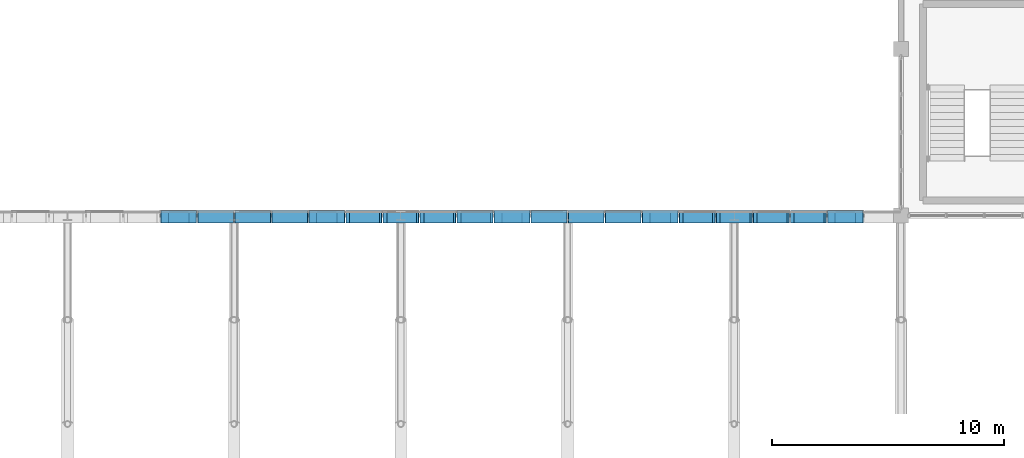
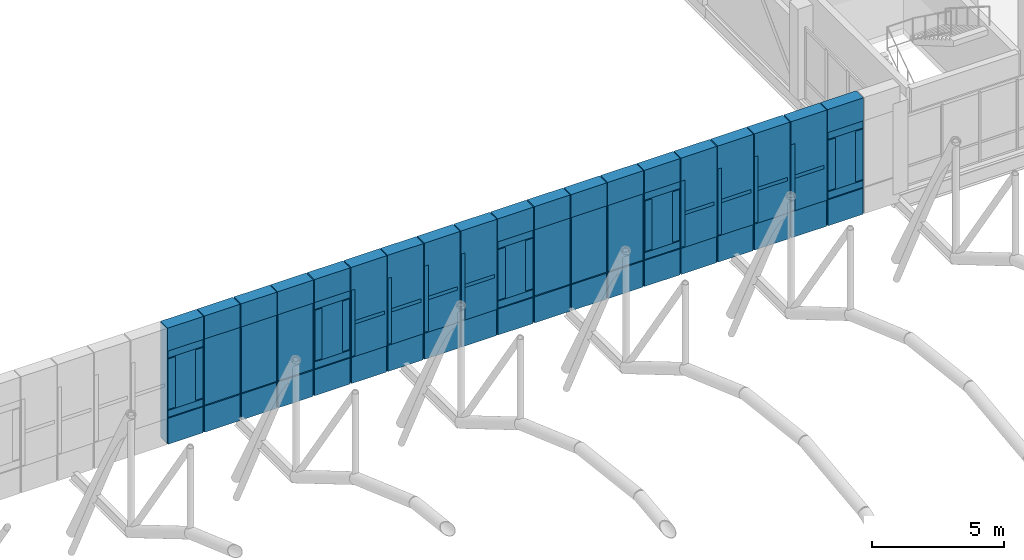
# One storey, part 121 of 144: 80 discrete accessories.
"""IFC4 building model written with IfcOpenShell, lengths in metres."""

from ifc_helpers import new_model, si_unit, direction, frame, origin, origin_2d, place, context, subcontext, project, spatial, rectangle, extrude, material, type_object, element, save


model = new_model("IFC4")

# Units and contexts
model_context = context("Model", 3, precision=1e-05, world=origin(), true_north=direction((0.0, 1.0)))
body_context = subcontext(model_context, "Body", "Model", "MODEL_VIEW")
ifc_project = project(units=[si_unit("LENGTHUNIT", "METRE"), si_unit("AREAUNIT", "SQUARE_METRE"), si_unit("VOLUMEUNIT", "CUBIC_METRE"), si_unit("PLANEANGLEUNIT", "RADIAN"), si_unit("MASSUNIT", "GRAM", prefix="KILO")], contexts=[model_context])

# Site, building, storey
site_placement = place(None, origin())
site = spatial("IfcSite", under=ifc_project, at=site_placement, CompositionType="ELEMENT")
building_placement = place(site_placement, origin())
building = spatial("IfcBuilding", under=site, at=building_placement, Name="Yarey Park Central Fire Station", CompositionType="ELEMENT")
storey_placement = place(building_placement, frame((0.0, 0.0, 10.199951171875)))
storey = spatial("IfcBuildingStorey", under=building, at=storey_placement, Name="L03", CompositionType="ELEMENT", Elevation=10.199951171875)

# Discrete accessories
ifc_material = material(Name="Stainless Steel AISI 316L", Category="steel")
discrete_accessory_type = type_object("IfcDiscreteAccessoryType", Name="ENV_BRK_SS1", PredefinedType="BRACKET", material=ifc_material)
discrete_accessory_1_placement = place(storey_placement, frame((84.0, 93.550048828125, -0.4248046875), z_axis=(0.0, 0.0, 1.0), x_axis=(1.0, 0.0, 0.0)))
element("IfcDiscreteAccessory", 1, at=discrete_accessory_1_placement, inside=storey, type_object=discrete_accessory_type, Name="BRK_PERF_L03_1631", PredefinedType="BRACKET", context=body_context, shape_type="SweptSolid", body=[
    extrude(rectangle(XDim=1.5400390625, YDim=0.5400390625, at=origin_2d()), origin(), (0.0, 0.0, 1.0), 1.199951171875),
])
for number, where, z_axis, x_axis, name in (
    (2, (84.0, 93.550048828125, 0.81982421875), (0.0, 0.0, 1.0), (1.0, 0.0, 0.0), "BRK_PERF_L03_1632"),
    (3, (84.0, 93.550048828125, 3.56005859375), (0.0, 0.0, 1.0), (1.0, 0.0, 0.0), "BRK_PERF_L03_1633"),
):
    element("IfcDiscreteAccessory", number, at=place(storey_placement, frame(where, z_axis=z_axis, x_axis=x_axis)), inside=storey, type_object=discrete_accessory_type, Name=name, PredefinedType="BRACKET", context=body_context, shape_type="SweptSolid", body=[
        extrude(rectangle(XDim=1.5400390625, YDim=0.5400390625, at=origin_2d()), origin(), (0.0, 0.0, 1.0), 0.320068359375),
    ])
for number, where, z_axis, x_axis, name in (
    (4, (83.39990234375, 93.550048828125, 1.18505859375), (0.0, 0.0, 1.0), (1.0, 0.0, 0.0), "BRK_PERF_L03_1634"),
    (5, (84.60009765625, 93.550048828125, 1.18505859375), (0.0, 0.0, 1.0), (1.0, 0.0, 0.0), "BRK_PERF_L03_1635"),
):
    element("IfcDiscreteAccessory", number, at=place(storey_placement, frame(where, z_axis=z_axis, x_axis=x_axis)), inside=storey, type_object=discrete_accessory_type, Name=name, PredefinedType="BRACKET", context=body_context, shape_type="SweptSolid", body=[
        extrude(rectangle(XDim=0.320068359375, YDim=0.5400390625, at=origin_2d()), origin(), (0.0, 0.0, 1.0), 2.330078125),
    ])
discrete_accessory_2_placement = place(storey_placement, frame((84.0, 93.550048828125, -0.389892578125), z_axis=(0.0, 0.0, 1.0), x_axis=(1.0, 0.0, 0.0)))
element("IfcDiscreteAccessory", 6, at=discrete_accessory_2_placement, inside=storey, type_object=discrete_accessory_type, Name="BRK_RAIL_L03_1636", PredefinedType="BRACKET", context=body_context, shape_type="SweptSolid", body=[
    extrude(rectangle(XDim=1.56005859375, YDim=0.5400390625, at=origin_2d()), origin(), (0.0, 0.0, 1.0), 5.330078125),
])
discrete_accessory_3_placement = place(storey_placement, frame((85.60009765625, 93.550048828125, -0.4248046875), z_axis=(0.0, 0.0, 1.0), x_axis=(1.0, 0.0, 0.0)))
element("IfcDiscreteAccessory", 7, at=discrete_accessory_3_placement, inside=storey, type_object=discrete_accessory_type, Name="BRK_PERF_L03_1637", PredefinedType="BRACKET", context=body_context, shape_type="SweptSolid", body=[
    extrude(rectangle(XDim=1.5400390625, YDim=0.5400390625, at=origin_2d()), origin(), (0.0, 0.0, 1.0), 1.199951171875),
])
discrete_accessory_4_placement = place(storey_placement, frame((85.60009765625, 93.550048828125, 0.8251953125), z_axis=(0.0, 0.0, 1.0), x_axis=(1.0, 0.0, 0.0)))
element("IfcDiscreteAccessory", 8, at=discrete_accessory_4_placement, inside=storey, type_object=discrete_accessory_type, Name="BRK_PERF_L03_1638", PredefinedType="BRACKET", context=body_context, shape_type="SweptSolid", body=[
    extrude(rectangle(XDim=1.5400390625, YDim=0.5400390625, at=origin_2d()), origin(), (0.0, 0.0, 1.0), 3.050048828125),
])
discrete_accessory_5_placement = place(storey_placement, frame((85.60009765625, 93.550048828125, -0.389892578125), z_axis=(0.0, 0.0, 1.0), x_axis=(1.0, 0.0, 0.0)))
element("IfcDiscreteAccessory", 9, at=discrete_accessory_5_placement, inside=storey, type_object=discrete_accessory_type, Name="BRK_RAIL_L03_1639", PredefinedType="BRACKET", context=body_context, shape_type="SweptSolid", body=[
    extrude(rectangle(XDim=1.56005859375, YDim=0.5400390625, at=origin_2d()), origin(), (0.0, 0.0, 1.0), 5.330078125),
])
discrete_accessory_6_placement = place(storey_placement, frame((87.199951171875, 93.550048828125, -0.4248046875), z_axis=(0.0, 0.0, 1.0), x_axis=(1.0, 0.0, 0.0)))
element("IfcDiscreteAccessory", 10, at=discrete_accessory_6_placement, inside=storey, type_object=discrete_accessory_type, Name="BRK_PERF_L03_1640", PredefinedType="BRACKET", context=body_context, shape_type="SweptSolid", body=[
    extrude(rectangle(XDim=1.5400390625, YDim=0.5400390625, at=origin_2d()), origin(), (0.0, 0.0, 1.0), 1.199951171875),
])
discrete_accessory_7_placement = place(storey_placement, frame((87.199951171875, 93.550048828125, 0.8251953125), z_axis=(0.0, 0.0, 1.0), x_axis=(1.0, 0.0, 0.0)))
element("IfcDiscreteAccessory", 11, at=discrete_accessory_7_placement, inside=storey, type_object=discrete_accessory_type, Name="BRK_PERF_L03_1641", PredefinedType="BRACKET", context=body_context, shape_type="SweptSolid", body=[
    extrude(rectangle(XDim=1.5400390625, YDim=0.5400390625, at=origin_2d()), origin(), (0.0, 0.0, 1.0), 3.050048828125),
])
discrete_accessory_8_placement = place(storey_placement, frame((87.199951171875, 93.550048828125, -0.389892578125), z_axis=(0.0, 0.0, 1.0), x_axis=(1.0, 0.0, 0.0)))
element("IfcDiscreteAccessory", 12, at=discrete_accessory_8_placement, inside=storey, type_object=discrete_accessory_type, Name="BRK_RAIL_L03_1642", PredefinedType="BRACKET", context=body_context, shape_type="SweptSolid", body=[
    extrude(rectangle(XDim=1.56005859375, YDim=0.5400390625, at=origin_2d()), origin(), (0.0, 0.0, 1.0), 5.330078125),
])
discrete_accessory_9_placement = place(storey_placement, frame((88.800048828125, 93.550048828125, -0.4248046875), z_axis=(0.0, 0.0, 1.0), x_axis=(1.0, 0.0, 0.0)))
element("IfcDiscreteAccessory", 13, at=discrete_accessory_9_placement, inside=storey, type_object=discrete_accessory_type, Name="BRK_PERF_L03_1643", PredefinedType="BRACKET", context=body_context, shape_type="SweptSolid", body=[
    extrude(rectangle(XDim=1.5400390625, YDim=0.5400390625, at=origin_2d()), origin(), (0.0, 0.0, 1.0), 1.199951171875),
])
discrete_accessory_10_placement = place(storey_placement, frame((88.800048828125, 93.550048828125, 0.8251953125), z_axis=(0.0, 0.0, 1.0), x_axis=(1.0, 0.0, 0.0)))
element("IfcDiscreteAccessory", 14, at=discrete_accessory_10_placement, inside=storey, type_object=discrete_accessory_type, Name="BRK_PERF_L03_1644", PredefinedType="BRACKET", context=body_context, shape_type="SweptSolid", body=[
    extrude(rectangle(XDim=1.5400390625, YDim=0.5400390625, at=origin_2d()), origin(), (0.0, 0.0, 1.0), 3.050048828125),
])
discrete_accessory_11_placement = place(storey_placement, frame((88.800048828125, 93.550048828125, -0.389892578125), z_axis=(0.0, 0.0, 1.0), x_axis=(1.0, 0.0, 0.0)))
element("IfcDiscreteAccessory", 15, at=discrete_accessory_11_placement, inside=storey, type_object=discrete_accessory_type, Name="BRK_RAIL_L03_1645", PredefinedType="BRACKET", context=body_context, shape_type="SweptSolid", body=[
    extrude(rectangle(XDim=1.56005859375, YDim=0.5400390625, at=origin_2d()), origin(), (0.0, 0.0, 1.0), 5.330078125),
])
discrete_accessory_12_placement = place(storey_placement, frame((90.39990234375, 93.550048828125, -0.4248046875), z_axis=(0.0, 0.0, 1.0), x_axis=(1.0, 0.0, 0.0)))
element("IfcDiscreteAccessory", 16, at=discrete_accessory_12_placement, inside=storey, type_object=discrete_accessory_type, Name="BRK_PERF_L03_1646", PredefinedType="BRACKET", context=body_context, shape_type="SweptSolid", body=[
    extrude(rectangle(XDim=1.5400390625, YDim=0.5400390625, at=origin_2d()), origin(), (0.0, 0.0, 1.0), 1.199951171875),
])
for number, where, z_axis, x_axis, name in (
    (17, (90.39990234375, 93.550048828125, 0.81982421875), (0.0, 0.0, 1.0), (1.0, 0.0, 0.0), "BRK_PERF_L03_1647"),
    (18, (90.39990234375, 93.550048828125, 3.56005859375), (0.0, 0.0, 1.0), (1.0, 0.0, 0.0), "BRK_PERF_L03_1648"),
):
    element("IfcDiscreteAccessory", number, at=place(storey_placement, frame(where, z_axis=z_axis, x_axis=x_axis)), inside=storey, type_object=discrete_accessory_type, Name=name, PredefinedType="BRACKET", context=body_context, shape_type="SweptSolid", body=[
        extrude(rectangle(XDim=1.5400390625, YDim=0.5400390625, at=origin_2d()), origin(), (0.0, 0.0, 1.0), 0.320068359375),
    ])
for number, where, z_axis, x_axis, name in (
    (19, (89.800048828125, 93.550048828125, 1.18505859375), (0.0, 0.0, 1.0), (1.0, 0.0, 0.0), "BRK_PERF_L03_1649"),
    (20, (91.0, 93.550048828125, 1.18505859375), (0.0, 0.0, 1.0), (1.0, 0.0, 0.0), "BRK_PERF_L03_1650"),
):
    element("IfcDiscreteAccessory", number, at=place(storey_placement, frame(where, z_axis=z_axis, x_axis=x_axis)), inside=storey, type_object=discrete_accessory_type, Name=name, PredefinedType="BRACKET", context=body_context, shape_type="SweptSolid", body=[
        extrude(rectangle(XDim=0.320068359375, YDim=0.5400390625, at=origin_2d()), origin(), (0.0, 0.0, 1.0), 2.330078125),
    ])
discrete_accessory_13_placement = place(storey_placement, frame((90.39990234375, 93.550048828125, -0.389892578125), z_axis=(0.0, 0.0, 1.0), x_axis=(1.0, 0.0, 0.0)))
element("IfcDiscreteAccessory", 21, at=discrete_accessory_13_placement, inside=storey, type_object=discrete_accessory_type, Name="BRK_RAIL_L03_1651", PredefinedType="BRACKET", context=body_context, shape_type="SweptSolid", body=[
    extrude(rectangle(XDim=1.56005859375, YDim=0.5400390625, at=origin_2d()), origin(), (0.0, 0.0, 1.0), 5.330078125),
])
discrete_accessory_14_placement = place(storey_placement, frame((92.0, 93.550048828125, -0.4248046875), z_axis=(0.0, 0.0, 1.0), x_axis=(1.0, 0.0, 0.0)))
element("IfcDiscreteAccessory", 22, at=discrete_accessory_14_placement, inside=storey, type_object=discrete_accessory_type, Name="BRK_PERF_L03_1652", PredefinedType="BRACKET", context=body_context, shape_type="SweptSolid", body=[
    extrude(rectangle(XDim=1.5400390625, YDim=0.5400390625, at=origin_2d()), origin(), (0.0, 0.0, 1.0), 1.199951171875),
])
discrete_accessory_15_placement = place(storey_placement, frame((91.31005859375, 93.550048828125, 0.8251953125), z_axis=(0.0, 0.0, 1.0), x_axis=(1.0, 0.0, 0.0)))
element("IfcDiscreteAccessory", 23, at=discrete_accessory_15_placement, inside=storey, type_object=discrete_accessory_type, Name="BRK_PERF_L03_1653", PredefinedType="BRACKET", context=body_context, shape_type="SweptSolid", body=[
    extrude(rectangle(XDim=0.159912109375, YDim=0.5400390625, at=origin_2d()), origin(), (0.0, 0.0, 1.0), 3.050048828125),
])
discrete_accessory_16_placement = place(storey_placement, frame((92.0, 93.550048828125, 2.27001953125), z_axis=(0.0, 0.0, 1.0), x_axis=(1.0, 0.0, 0.0)))
element("IfcDiscreteAccessory", 24, at=discrete_accessory_16_placement, inside=storey, type_object=discrete_accessory_type, Name="BRK_PERF_L03_1654", PredefinedType="BRACKET", context=body_context, shape_type="SweptSolid", body=[
    extrude(rectangle(XDim=1.340087890625, YDim=0.5400390625, at=origin_2d()), origin(), (0.0, 0.0, 1.0), 0.159912109375),
])
discrete_accessory_17_placement = place(storey_placement, frame((92.0, 93.550048828125, -0.389892578125), z_axis=(0.0, 0.0, 1.0), x_axis=(1.0, 0.0, 0.0)))
element("IfcDiscreteAccessory", 25, at=discrete_accessory_17_placement, inside=storey, type_object=discrete_accessory_type, Name="BRK_RAIL_L03_1655", PredefinedType="BRACKET", context=body_context, shape_type="SweptSolid", body=[
    extrude(rectangle(XDim=1.56005859375, YDim=0.5400390625, at=origin_2d()), origin(), (0.0, 0.0, 1.0), 5.330078125),
])
discrete_accessory_18_placement = place(storey_placement, frame((93.60009765625, 93.550048828125, -0.4248046875), z_axis=(0.0, 0.0, 1.0), x_axis=(1.0, 0.0, 0.0)))
element("IfcDiscreteAccessory", 26, at=discrete_accessory_18_placement, inside=storey, type_object=discrete_accessory_type, Name="BRK_PERF_L03_1656", PredefinedType="BRACKET", context=body_context, shape_type="SweptSolid", body=[
    extrude(rectangle(XDim=1.5400390625, YDim=0.5400390625, at=origin_2d()), origin(), (0.0, 0.0, 1.0), 1.199951171875),
])
discrete_accessory_19_placement = place(storey_placement, frame((92.909912109375, 93.550048828125, 0.8251953125), z_axis=(0.0, 0.0, 1.0), x_axis=(1.0, 0.0, 0.0)))
element("IfcDiscreteAccessory", 27, at=discrete_accessory_19_placement, inside=storey, type_object=discrete_accessory_type, Name="BRK_PERF_L03_1657", PredefinedType="BRACKET", context=body_context, shape_type="SweptSolid", body=[
    extrude(rectangle(XDim=0.159912109375, YDim=0.5400390625, at=origin_2d()), origin(), (0.0, 0.0, 1.0), 3.050048828125),
])
discrete_accessory_20_placement = place(storey_placement, frame((93.60009765625, 93.550048828125, 2.27001953125), z_axis=(0.0, 0.0, 1.0), x_axis=(1.0, 0.0, 0.0)))
element("IfcDiscreteAccessory", 28, at=discrete_accessory_20_placement, inside=storey, type_object=discrete_accessory_type, Name="BRK_PERF_L03_1658", PredefinedType="BRACKET", context=body_context, shape_type="SweptSolid", body=[
    extrude(rectangle(XDim=1.340087890625, YDim=0.5400390625, at=origin_2d()), origin(), (0.0, 0.0, 1.0), 0.159912109375),
])
discrete_accessory_21_placement = place(storey_placement, frame((93.60009765625, 93.550048828125, -0.389892578125), z_axis=(0.0, 0.0, 1.0), x_axis=(1.0, 0.0, 0.0)))
element("IfcDiscreteAccessory", 29, at=discrete_accessory_21_placement, inside=storey, type_object=discrete_accessory_type, Name="BRK_RAIL_L03_1659", PredefinedType="BRACKET", context=body_context, shape_type="SweptSolid", body=[
    extrude(rectangle(XDim=1.56005859375, YDim=0.5400390625, at=origin_2d()), origin(), (0.0, 0.0, 1.0), 5.330078125),
])
discrete_accessory_22_placement = place(storey_placement, frame((95.199951171875, 93.550048828125, -0.4248046875), z_axis=(0.0, 0.0, 1.0), x_axis=(1.0, 0.0, 0.0)))
element("IfcDiscreteAccessory", 30, at=discrete_accessory_22_placement, inside=storey, type_object=discrete_accessory_type, Name="BRK_PERF_L03_1660", PredefinedType="BRACKET", context=body_context, shape_type="SweptSolid", body=[
    extrude(rectangle(XDim=1.5400390625, YDim=0.5400390625, at=origin_2d()), origin(), (0.0, 0.0, 1.0), 1.199951171875),
])
discrete_accessory_23_placement = place(storey_placement, frame((94.510009765625, 93.550048828125, 0.8251953125), z_axis=(0.0, 0.0, 1.0), x_axis=(1.0, 0.0, 0.0)))
element("IfcDiscreteAccessory", 31, at=discrete_accessory_23_placement, inside=storey, type_object=discrete_accessory_type, Name="BRK_PERF_L03_1661", PredefinedType="BRACKET", context=body_context, shape_type="SweptSolid", body=[
    extrude(rectangle(XDim=0.159912109375, YDim=0.5400390625, at=origin_2d()), origin(), (0.0, 0.0, 1.0), 3.050048828125),
])
discrete_accessory_24_placement = place(storey_placement, frame((95.199951171875, 93.550048828125, 2.27001953125), z_axis=(0.0, 0.0, 1.0), x_axis=(1.0, 0.0, 0.0)))
element("IfcDiscreteAccessory", 32, at=discrete_accessory_24_placement, inside=storey, type_object=discrete_accessory_type, Name="BRK_PERF_L03_1662", PredefinedType="BRACKET", context=body_context, shape_type="SweptSolid", body=[
    extrude(rectangle(XDim=1.340087890625, YDim=0.5400390625, at=origin_2d()), origin(), (0.0, 0.0, 1.0), 0.159912109375),
])
discrete_accessory_25_placement = place(storey_placement, frame((95.199951171875, 93.550048828125, -0.389892578125), z_axis=(0.0, 0.0, 1.0), x_axis=(1.0, 0.0, 0.0)))
element("IfcDiscreteAccessory", 33, at=discrete_accessory_25_placement, inside=storey, type_object=discrete_accessory_type, Name="BRK_RAIL_L03_1663", PredefinedType="BRACKET", context=body_context, shape_type="SweptSolid", body=[
    extrude(rectangle(XDim=1.56005859375, YDim=0.5400390625, at=origin_2d()), origin(), (0.0, 0.0, 1.0), 5.330078125),
])
discrete_accessory_26_placement = place(storey_placement, frame((96.800048828125, 93.550048828125, -0.4248046875), z_axis=(0.0, 0.0, 1.0), x_axis=(1.0, 0.0, 0.0)))
element("IfcDiscreteAccessory", 34, at=discrete_accessory_26_placement, inside=storey, type_object=discrete_accessory_type, Name="BRK_PERF_L03_1664", PredefinedType="BRACKET", context=body_context, shape_type="SweptSolid", body=[
    extrude(rectangle(XDim=1.5400390625, YDim=0.5400390625, at=origin_2d()), origin(), (0.0, 0.0, 1.0), 1.199951171875),
])
discrete_accessory_27_placement = place(storey_placement, frame((96.110107421875, 93.550048828125, 0.8251953125), z_axis=(0.0, 0.0, 1.0), x_axis=(1.0, 0.0, 0.0)))
element("IfcDiscreteAccessory", 35, at=discrete_accessory_27_placement, inside=storey, type_object=discrete_accessory_type, Name="BRK_PERF_L03_1665", PredefinedType="BRACKET", context=body_context, shape_type="SweptSolid", body=[
    extrude(rectangle(XDim=0.159912109375, YDim=0.5400390625, at=origin_2d()), origin(), (0.0, 0.0, 1.0), 3.050048828125),
])
discrete_accessory_28_placement = place(storey_placement, frame((96.800048828125, 93.550048828125, 2.27001953125), z_axis=(0.0, 0.0, 1.0), x_axis=(1.0, 0.0, 0.0)))
element("IfcDiscreteAccessory", 36, at=discrete_accessory_28_placement, inside=storey, type_object=discrete_accessory_type, Name="BRK_PERF_L03_1666", PredefinedType="BRACKET", context=body_context, shape_type="SweptSolid", body=[
    extrude(rectangle(XDim=1.340087890625, YDim=0.5400390625, at=origin_2d()), origin(), (0.0, 0.0, 1.0), 0.159912109375),
])
discrete_accessory_29_placement = place(storey_placement, frame((96.800048828125, 93.550048828125, -0.389892578125), z_axis=(0.0, 0.0, 1.0), x_axis=(1.0, 0.0, 0.0)))
element("IfcDiscreteAccessory", 37, at=discrete_accessory_29_placement, inside=storey, type_object=discrete_accessory_type, Name="BRK_RAIL_L03_1667", PredefinedType="BRACKET", context=body_context, shape_type="SweptSolid", body=[
    extrude(rectangle(XDim=1.56005859375, YDim=0.5400390625, at=origin_2d()), origin(), (0.0, 0.0, 1.0), 5.330078125),
])
discrete_accessory_30_placement = place(storey_placement, frame((98.39990234375, 93.550048828125, -0.4248046875), z_axis=(0.0, 0.0, 1.0), x_axis=(1.0, 0.0, 0.0)))
element("IfcDiscreteAccessory", 38, at=discrete_accessory_30_placement, inside=storey, type_object=discrete_accessory_type, Name="BRK_PERF_L03_1668", PredefinedType="BRACKET", context=body_context, shape_type="SweptSolid", body=[
    extrude(rectangle(XDim=1.5400390625, YDim=0.5400390625, at=origin_2d()), origin(), (0.0, 0.0, 1.0), 1.199951171875),
])
for number, where, z_axis, x_axis, name in (
    (39, (98.39990234375, 93.550048828125, 0.81982421875), (0.0, 0.0, 1.0), (1.0, 0.0, 0.0), "BRK_PERF_L03_1669"),
    (40, (98.39990234375, 93.550048828125, 3.56005859375), (0.0, 0.0, 1.0), (1.0, 0.0, 0.0), "BRK_PERF_L03_1670"),
):
    element("IfcDiscreteAccessory", number, at=place(storey_placement, frame(where, z_axis=z_axis, x_axis=x_axis)), inside=storey, type_object=discrete_accessory_type, Name=name, PredefinedType="BRACKET", context=body_context, shape_type="SweptSolid", body=[
        extrude(rectangle(XDim=1.5400390625, YDim=0.5400390625, at=origin_2d()), origin(), (0.0, 0.0, 1.0), 0.320068359375),
    ])
for number, where, z_axis, x_axis, name in (
    (41, (97.800048828125, 93.550048828125, 1.18505859375), (0.0, 0.0, 1.0), (1.0, 0.0, 0.0), "BRK_PERF_L03_1671"),
    (42, (99.0, 93.550048828125, 1.18505859375), (0.0, 0.0, 1.0), (1.0, 0.0, 0.0), "BRK_PERF_L03_1672"),
):
    element("IfcDiscreteAccessory", number, at=place(storey_placement, frame(where, z_axis=z_axis, x_axis=x_axis)), inside=storey, type_object=discrete_accessory_type, Name=name, PredefinedType="BRACKET", context=body_context, shape_type="SweptSolid", body=[
        extrude(rectangle(XDim=0.320068359375, YDim=0.5400390625, at=origin_2d()), origin(), (0.0, 0.0, 1.0), 2.330078125),
    ])
discrete_accessory_31_placement = place(storey_placement, frame((98.39990234375, 93.550048828125, -0.389892578125), z_axis=(0.0, 0.0, 1.0), x_axis=(1.0, 0.0, 0.0)))
element("IfcDiscreteAccessory", 43, at=discrete_accessory_31_placement, inside=storey, type_object=discrete_accessory_type, Name="BRK_RAIL_L03_1673", PredefinedType="BRACKET", context=body_context, shape_type="SweptSolid", body=[
    extrude(rectangle(XDim=1.56005859375, YDim=0.5400390625, at=origin_2d()), origin(), (0.0, 0.0, 1.0), 5.330078125),
])
discrete_accessory_32_placement = place(storey_placement, frame((100.0, 93.550048828125, -0.4248046875), z_axis=(0.0, 0.0, 1.0), x_axis=(1.0, 0.0, 0.0)))
element("IfcDiscreteAccessory", 44, at=discrete_accessory_32_placement, inside=storey, type_object=discrete_accessory_type, Name="BRK_PERF_L03_1674", PredefinedType="BRACKET", context=body_context, shape_type="SweptSolid", body=[
    extrude(rectangle(XDim=1.5400390625, YDim=0.5400390625, at=origin_2d()), origin(), (0.0, 0.0, 1.0), 1.199951171875),
])
discrete_accessory_33_placement = place(storey_placement, frame((100.0, 93.550048828125, 0.8251953125), z_axis=(0.0, 0.0, 1.0), x_axis=(1.0, 0.0, 0.0)))
element("IfcDiscreteAccessory", 45, at=discrete_accessory_33_placement, inside=storey, type_object=discrete_accessory_type, Name="BRK_PERF_L03_1675", PredefinedType="BRACKET", context=body_context, shape_type="SweptSolid", body=[
    extrude(rectangle(XDim=1.5400390625, YDim=0.5400390625, at=origin_2d()), origin(), (0.0, 0.0, 1.0), 3.050048828125),
])
discrete_accessory_34_placement = place(storey_placement, frame((100.0, 93.550048828125, -0.389892578125), z_axis=(0.0, 0.0, 1.0), x_axis=(1.0, 0.0, 0.0)))
element("IfcDiscreteAccessory", 46, at=discrete_accessory_34_placement, inside=storey, type_object=discrete_accessory_type, Name="BRK_RAIL_L03_1676", PredefinedType="BRACKET", context=body_context, shape_type="SweptSolid", body=[
    extrude(rectangle(XDim=1.56005859375, YDim=0.5400390625, at=origin_2d()), origin(), (0.0, 0.0, 1.0), 5.330078125),
])
discrete_accessory_35_placement = place(storey_placement, frame((101.60009765625, 93.550048828125, -0.4248046875), z_axis=(0.0, 0.0, 1.0), x_axis=(1.0, 0.0, 0.0)))
element("IfcDiscreteAccessory", 47, at=discrete_accessory_35_placement, inside=storey, type_object=discrete_accessory_type, Name="BRK_PERF_L03_1677", PredefinedType="BRACKET", context=body_context, shape_type="SweptSolid", body=[
    extrude(rectangle(XDim=1.5400390625, YDim=0.5400390625, at=origin_2d()), origin(), (0.0, 0.0, 1.0), 1.199951171875),
])
discrete_accessory_36_placement = place(storey_placement, frame((101.60009765625, 93.550048828125, 0.8251953125), z_axis=(0.0, 0.0, 1.0), x_axis=(1.0, 0.0, 0.0)))
element("IfcDiscreteAccessory", 48, at=discrete_accessory_36_placement, inside=storey, type_object=discrete_accessory_type, Name="BRK_PERF_L03_1678", PredefinedType="BRACKET", context=body_context, shape_type="SweptSolid", body=[
    extrude(rectangle(XDim=1.5400390625, YDim=0.5400390625, at=origin_2d()), origin(), (0.0, 0.0, 1.0), 3.050048828125),
])
discrete_accessory_37_placement = place(storey_placement, frame((101.60009765625, 93.550048828125, -0.389892578125), z_axis=(0.0, 0.0, 1.0), x_axis=(1.0, 0.0, 0.0)))
element("IfcDiscreteAccessory", 49, at=discrete_accessory_37_placement, inside=storey, type_object=discrete_accessory_type, Name="BRK_RAIL_L03_1679", PredefinedType="BRACKET", context=body_context, shape_type="SweptSolid", body=[
    extrude(rectangle(XDim=1.56005859375, YDim=0.5400390625, at=origin_2d()), origin(), (0.0, 0.0, 1.0), 5.330078125),
])
discrete_accessory_38_placement = place(storey_placement, frame((103.199951171875, 93.550048828125, -0.4248046875), z_axis=(0.0, 0.0, 1.0), x_axis=(1.0, 0.0, 0.0)))
element("IfcDiscreteAccessory", 50, at=discrete_accessory_38_placement, inside=storey, type_object=discrete_accessory_type, Name="BRK_PERF_L03_1680", PredefinedType="BRACKET", context=body_context, shape_type="SweptSolid", body=[
    extrude(rectangle(XDim=1.5400390625, YDim=0.5400390625, at=origin_2d()), origin(), (0.0, 0.0, 1.0), 1.199951171875),
])
discrete_accessory_39_placement = place(storey_placement, frame((103.199951171875, 93.550048828125, 0.8251953125), z_axis=(0.0, 0.0, 1.0), x_axis=(1.0, 0.0, 0.0)))
element("IfcDiscreteAccessory", 51, at=discrete_accessory_39_placement, inside=storey, type_object=discrete_accessory_type, Name="BRK_PERF_L03_1681", PredefinedType="BRACKET", context=body_context, shape_type="SweptSolid", body=[
    extrude(rectangle(XDim=1.5400390625, YDim=0.5400390625, at=origin_2d()), origin(), (0.0, 0.0, 1.0), 3.050048828125),
])
discrete_accessory_40_placement = place(storey_placement, frame((103.199951171875, 93.550048828125, -0.389892578125), z_axis=(0.0, 0.0, 1.0), x_axis=(1.0, 0.0, 0.0)))
element("IfcDiscreteAccessory", 52, at=discrete_accessory_40_placement, inside=storey, type_object=discrete_accessory_type, Name="BRK_RAIL_L03_1682", PredefinedType="BRACKET", context=body_context, shape_type="SweptSolid", body=[
    extrude(rectangle(XDim=1.56005859375, YDim=0.5400390625, at=origin_2d()), origin(), (0.0, 0.0, 1.0), 5.330078125),
])
discrete_accessory_41_placement = place(storey_placement, frame((104.800048828125, 93.550048828125, -0.4248046875), z_axis=(0.0, 0.0, 1.0), x_axis=(1.0, 0.0, 0.0)))
element("IfcDiscreteAccessory", 53, at=discrete_accessory_41_placement, inside=storey, type_object=discrete_accessory_type, Name="BRK_PERF_L03_1683", PredefinedType="BRACKET", context=body_context, shape_type="SweptSolid", body=[
    extrude(rectangle(XDim=1.5400390625, YDim=0.5400390625, at=origin_2d()), origin(), (0.0, 0.0, 1.0), 1.199951171875),
])
for number, where, z_axis, x_axis, name in (
    (54, (104.800048828125, 93.550048828125, 0.81982421875), (0.0, 0.0, 1.0), (1.0, 0.0, 0.0), "BRK_PERF_L03_1684"),
    (55, (104.800048828125, 93.550048828125, 3.56005859375), (0.0, 0.0, 1.0), (1.0, 0.0, 0.0), "BRK_PERF_L03_1685"),
):
    element("IfcDiscreteAccessory", number, at=place(storey_placement, frame(where, z_axis=z_axis, x_axis=x_axis)), inside=storey, type_object=discrete_accessory_type, Name=name, PredefinedType="BRACKET", context=body_context, shape_type="SweptSolid", body=[
        extrude(rectangle(XDim=1.5400390625, YDim=0.5400390625, at=origin_2d()), origin(), (0.0, 0.0, 1.0), 0.320068359375),
    ])
for number, where, z_axis, x_axis, name in (
    (56, (104.199951171875, 93.550048828125, 1.18505859375), (0.0, 0.0, 1.0), (1.0, 0.0, 0.0), "BRK_PERF_L03_1686"),
    (57, (105.39990234375, 93.550048828125, 1.18505859375), (0.0, 0.0, 1.0), (1.0, 0.0, 0.0), "BRK_PERF_L03_1687"),
):
    element("IfcDiscreteAccessory", number, at=place(storey_placement, frame(where, z_axis=z_axis, x_axis=x_axis)), inside=storey, type_object=discrete_accessory_type, Name=name, PredefinedType="BRACKET", context=body_context, shape_type="SweptSolid", body=[
        extrude(rectangle(XDim=0.320068359375, YDim=0.5400390625, at=origin_2d()), origin(), (0.0, 0.0, 1.0), 2.330078125),
    ])
discrete_accessory_42_placement = place(storey_placement, frame((104.800048828125, 93.550048828125, -0.389892578125), z_axis=(0.0, 0.0, 1.0), x_axis=(1.0, 0.0, 0.0)))
element("IfcDiscreteAccessory", 58, at=discrete_accessory_42_placement, inside=storey, type_object=discrete_accessory_type, Name="BRK_RAIL_L03_1688", PredefinedType="BRACKET", context=body_context, shape_type="SweptSolid", body=[
    extrude(rectangle(XDim=1.56005859375, YDim=0.5400390625, at=origin_2d()), origin(), (0.0, 0.0, 1.0), 5.330078125),
])
discrete_accessory_43_placement = place(storey_placement, frame((106.39990234375, 93.550048828125, -0.4248046875), z_axis=(0.0, 0.0, 1.0), x_axis=(1.0, 0.0, 0.0)))
element("IfcDiscreteAccessory", 59, at=discrete_accessory_43_placement, inside=storey, type_object=discrete_accessory_type, Name="BRK_PERF_L03_1689", PredefinedType="BRACKET", context=body_context, shape_type="SweptSolid", body=[
    extrude(rectangle(XDim=1.5400390625, YDim=0.5400390625, at=origin_2d()), origin(), (0.0, 0.0, 1.0), 1.199951171875),
])
discrete_accessory_44_placement = place(storey_placement, frame((105.7099609375, 93.550048828125, 0.8251953125), z_axis=(0.0, 0.0, 1.0), x_axis=(1.0, 0.0, 0.0)))
element("IfcDiscreteAccessory", 60, at=discrete_accessory_44_placement, inside=storey, type_object=discrete_accessory_type, Name="BRK_PERF_L03_1690", PredefinedType="BRACKET", context=body_context, shape_type="SweptSolid", body=[
    extrude(rectangle(XDim=0.159912109375, YDim=0.5400390625, at=origin_2d()), origin(), (0.0, 0.0, 1.0), 3.050048828125),
])
discrete_accessory_45_placement = place(storey_placement, frame((106.39990234375, 93.550048828125, 2.27001953125), z_axis=(0.0, 0.0, 1.0), x_axis=(1.0, 0.0, 0.0)))
element("IfcDiscreteAccessory", 61, at=discrete_accessory_45_placement, inside=storey, type_object=discrete_accessory_type, Name="BRK_PERF_L03_1691", PredefinedType="BRACKET", context=body_context, shape_type="SweptSolid", body=[
    extrude(rectangle(XDim=1.340087890625, YDim=0.5400390625, at=origin_2d()), origin(), (0.0, 0.0, 1.0), 0.159912109375),
])
discrete_accessory_46_placement = place(storey_placement, frame((106.39990234375, 93.550048828125, -0.389892578125), z_axis=(0.0, 0.0, 1.0), x_axis=(1.0, 0.0, 0.0)))
element("IfcDiscreteAccessory", 62, at=discrete_accessory_46_placement, inside=storey, type_object=discrete_accessory_type, Name="BRK_RAIL_L03_1692", PredefinedType="BRACKET", context=body_context, shape_type="SweptSolid", body=[
    extrude(rectangle(XDim=1.56005859375, YDim=0.5400390625, at=origin_2d()), origin(), (0.0, 0.0, 1.0), 5.330078125),
])
discrete_accessory_47_placement = place(storey_placement, frame((108.0, 93.550048828125, -0.4248046875), z_axis=(0.0, 0.0, 1.0), x_axis=(1.0, 0.0, 0.0)))
element("IfcDiscreteAccessory", 63, at=discrete_accessory_47_placement, inside=storey, type_object=discrete_accessory_type, Name="BRK_PERF_L03_1693", PredefinedType="BRACKET", context=body_context, shape_type="SweptSolid", body=[
    extrude(rectangle(XDim=1.5400390625, YDim=0.5400390625, at=origin_2d()), origin(), (0.0, 0.0, 1.0), 1.199951171875),
])
discrete_accessory_48_placement = place(storey_placement, frame((107.31005859375, 93.550048828125, 0.8251953125), z_axis=(0.0, 0.0, 1.0), x_axis=(1.0, 0.0, 0.0)))
element("IfcDiscreteAccessory", 64, at=discrete_accessory_48_placement, inside=storey, type_object=discrete_accessory_type, Name="BRK_PERF_L03_1694", PredefinedType="BRACKET", context=body_context, shape_type="SweptSolid", body=[
    extrude(rectangle(XDim=0.159912109375, YDim=0.5400390625, at=origin_2d()), origin(), (0.0, 0.0, 1.0), 3.050048828125),
])
discrete_accessory_49_placement = place(storey_placement, frame((108.0, 93.550048828125, 2.27001953125), z_axis=(0.0, 0.0, 1.0), x_axis=(1.0, 0.0, 0.0)))
element("IfcDiscreteAccessory", 65, at=discrete_accessory_49_placement, inside=storey, type_object=discrete_accessory_type, Name="BRK_PERF_L03_1695", PredefinedType="BRACKET", context=body_context, shape_type="SweptSolid", body=[
    extrude(rectangle(XDim=1.340087890625, YDim=0.5400390625, at=origin_2d()), origin(), (0.0, 0.0, 1.0), 0.159912109375),
])
discrete_accessory_50_placement = place(storey_placement, frame((108.0, 93.550048828125, -0.389892578125), z_axis=(0.0, 0.0, 1.0), x_axis=(1.0, 0.0, 0.0)))
element("IfcDiscreteAccessory", 66, at=discrete_accessory_50_placement, inside=storey, type_object=discrete_accessory_type, Name="BRK_RAIL_L03_1696", PredefinedType="BRACKET", context=body_context, shape_type="SweptSolid", body=[
    extrude(rectangle(XDim=1.56005859375, YDim=0.5400390625, at=origin_2d()), origin(), (0.0, 0.0, 1.0), 5.330078125),
])
discrete_accessory_51_placement = place(storey_placement, frame((109.60009765625, 93.550048828125, -0.4248046875), z_axis=(0.0, 0.0, 1.0), x_axis=(1.0, 0.0, 0.0)))
element("IfcDiscreteAccessory", 67, at=discrete_accessory_51_placement, inside=storey, type_object=discrete_accessory_type, Name="BRK_PERF_L03_1697", PredefinedType="BRACKET", context=body_context, shape_type="SweptSolid", body=[
    extrude(rectangle(XDim=1.5400390625, YDim=0.5400390625, at=origin_2d()), origin(), (0.0, 0.0, 1.0), 1.199951171875),
])
discrete_accessory_52_placement = place(storey_placement, frame((108.909912109375, 93.550048828125, 0.8251953125), z_axis=(0.0, 0.0, 1.0), x_axis=(1.0, 0.0, 0.0)))
element("IfcDiscreteAccessory", 68, at=discrete_accessory_52_placement, inside=storey, type_object=discrete_accessory_type, Name="BRK_PERF_L03_1698", PredefinedType="BRACKET", context=body_context, shape_type="SweptSolid", body=[
    extrude(rectangle(XDim=0.159912109375, YDim=0.5400390625, at=origin_2d()), origin(), (0.0, 0.0, 1.0), 3.050048828125),
])
discrete_accessory_53_placement = place(storey_placement, frame((109.60009765625, 93.550048828125, 2.27001953125), z_axis=(0.0, 0.0, 1.0), x_axis=(1.0, 0.0, 0.0)))
element("IfcDiscreteAccessory", 69, at=discrete_accessory_53_placement, inside=storey, type_object=discrete_accessory_type, Name="BRK_PERF_L03_1699", PredefinedType="BRACKET", context=body_context, shape_type="SweptSolid", body=[
    extrude(rectangle(XDim=1.340087890625, YDim=0.5400390625, at=origin_2d()), origin(), (0.0, 0.0, 1.0), 0.159912109375),
])
discrete_accessory_54_placement = place(storey_placement, frame((109.60009765625, 93.550048828125, -0.389892578125), z_axis=(0.0, 0.0, 1.0), x_axis=(1.0, 0.0, 0.0)))
element("IfcDiscreteAccessory", 70, at=discrete_accessory_54_placement, inside=storey, type_object=discrete_accessory_type, Name="BRK_RAIL_L03_1700", PredefinedType="BRACKET", context=body_context, shape_type="SweptSolid", body=[
    extrude(rectangle(XDim=1.56005859375, YDim=0.5400390625, at=origin_2d()), origin(), (0.0, 0.0, 1.0), 5.330078125),
])
discrete_accessory_55_placement = place(storey_placement, frame((111.199951171875, 93.550048828125, -0.4248046875), z_axis=(0.0, 0.0, 1.0), x_axis=(1.0, 0.0, 0.0)))
element("IfcDiscreteAccessory", 71, at=discrete_accessory_55_placement, inside=storey, type_object=discrete_accessory_type, Name="BRK_PERF_L03_1701", PredefinedType="BRACKET", context=body_context, shape_type="SweptSolid", body=[
    extrude(rectangle(XDim=1.5400390625, YDim=0.5400390625, at=origin_2d()), origin(), (0.0, 0.0, 1.0), 1.199951171875),
])
discrete_accessory_56_placement = place(storey_placement, frame((110.510009765625, 93.550048828125, 0.8251953125), z_axis=(0.0, 0.0, 1.0), x_axis=(1.0, 0.0, 0.0)))
element("IfcDiscreteAccessory", 72, at=discrete_accessory_56_placement, inside=storey, type_object=discrete_accessory_type, Name="BRK_PERF_L03_1702", PredefinedType="BRACKET", context=body_context, shape_type="SweptSolid", body=[
    extrude(rectangle(XDim=0.159912109375, YDim=0.5400390625, at=origin_2d()), origin(), (0.0, 0.0, 1.0), 3.050048828125),
])
discrete_accessory_57_placement = place(storey_placement, frame((111.199951171875, 93.550048828125, 2.27001953125), z_axis=(0.0, 0.0, 1.0), x_axis=(1.0, 0.0, 0.0)))
element("IfcDiscreteAccessory", 73, at=discrete_accessory_57_placement, inside=storey, type_object=discrete_accessory_type, Name="BRK_PERF_L03_1703", PredefinedType="BRACKET", context=body_context, shape_type="SweptSolid", body=[
    extrude(rectangle(XDim=1.340087890625, YDim=0.5400390625, at=origin_2d()), origin(), (0.0, 0.0, 1.0), 0.159912109375),
])
discrete_accessory_58_placement = place(storey_placement, frame((111.199951171875, 93.550048828125, -0.389892578125), z_axis=(0.0, 0.0, 1.0), x_axis=(1.0, 0.0, 0.0)))
element("IfcDiscreteAccessory", 74, at=discrete_accessory_58_placement, inside=storey, type_object=discrete_accessory_type, Name="BRK_RAIL_L03_1704", PredefinedType="BRACKET", context=body_context, shape_type="SweptSolid", body=[
    extrude(rectangle(XDim=1.56005859375, YDim=0.5400390625, at=origin_2d()), origin(), (0.0, 0.0, 1.0), 5.330078125),
])
discrete_accessory_59_placement = place(storey_placement, frame((112.800048828125, 93.550048828125, -0.4248046875), z_axis=(0.0, 0.0, 1.0), x_axis=(1.0, 0.0, 0.0)))
element("IfcDiscreteAccessory", 75, at=discrete_accessory_59_placement, inside=storey, type_object=discrete_accessory_type, Name="BRK_PERF_L03_1705", PredefinedType="BRACKET", context=body_context, shape_type="SweptSolid", body=[
    extrude(rectangle(XDim=1.5400390625, YDim=0.5400390625, at=origin_2d()), origin(), (0.0, 0.0, 1.0), 1.199951171875),
])
for number, where, z_axis, x_axis, name in (
    (76, (112.800048828125, 93.550048828125, 0.81982421875), (0.0, 0.0, 1.0), (1.0, 0.0, 0.0), "BRK_PERF_L03_1706"),
    (77, (112.800048828125, 93.550048828125, 3.56005859375), (0.0, 0.0, 1.0), (1.0, 0.0, 0.0), "BRK_PERF_L03_1707"),
):
    element("IfcDiscreteAccessory", number, at=place(storey_placement, frame(where, z_axis=z_axis, x_axis=x_axis)), inside=storey, type_object=discrete_accessory_type, Name=name, PredefinedType="BRACKET", context=body_context, shape_type="SweptSolid", body=[
        extrude(rectangle(XDim=1.5400390625, YDim=0.5400390625, at=origin_2d()), origin(), (0.0, 0.0, 1.0), 0.320068359375),
    ])
for number, where, z_axis, x_axis, name in (
    (78, (112.199951171875, 93.550048828125, 1.18505859375), (0.0, 0.0, 1.0), (1.0, 0.0, 0.0), "BRK_PERF_L03_1708"),
    (79, (113.39990234375, 93.550048828125, 1.18505859375), (0.0, 0.0, 1.0), (1.0, 0.0, 0.0), "BRK_PERF_L03_1709"),
):
    element("IfcDiscreteAccessory", number, at=place(storey_placement, frame(where, z_axis=z_axis, x_axis=x_axis)), inside=storey, type_object=discrete_accessory_type, Name=name, PredefinedType="BRACKET", context=body_context, shape_type="SweptSolid", body=[
        extrude(rectangle(XDim=0.320068359375, YDim=0.5400390625, at=origin_2d()), origin(), (0.0, 0.0, 1.0), 2.330078125),
    ])
discrete_accessory_60_placement = place(storey_placement, frame((112.800048828125, 93.550048828125, -0.389892578125), z_axis=(0.0, 0.0, 1.0), x_axis=(1.0, 0.0, 0.0)))
element("IfcDiscreteAccessory", 80, at=discrete_accessory_60_placement, inside=storey, type_object=discrete_accessory_type, Name="BRK_RAIL_L03_1710", PredefinedType="BRACKET", context=body_context, shape_type="SweptSolid", body=[
    extrude(rectangle(XDim=1.56005859375, YDim=0.5400390625, at=origin_2d()), origin(), (0.0, 0.0, 1.0), 5.330078125),
])

save(model, "model.ifc")
